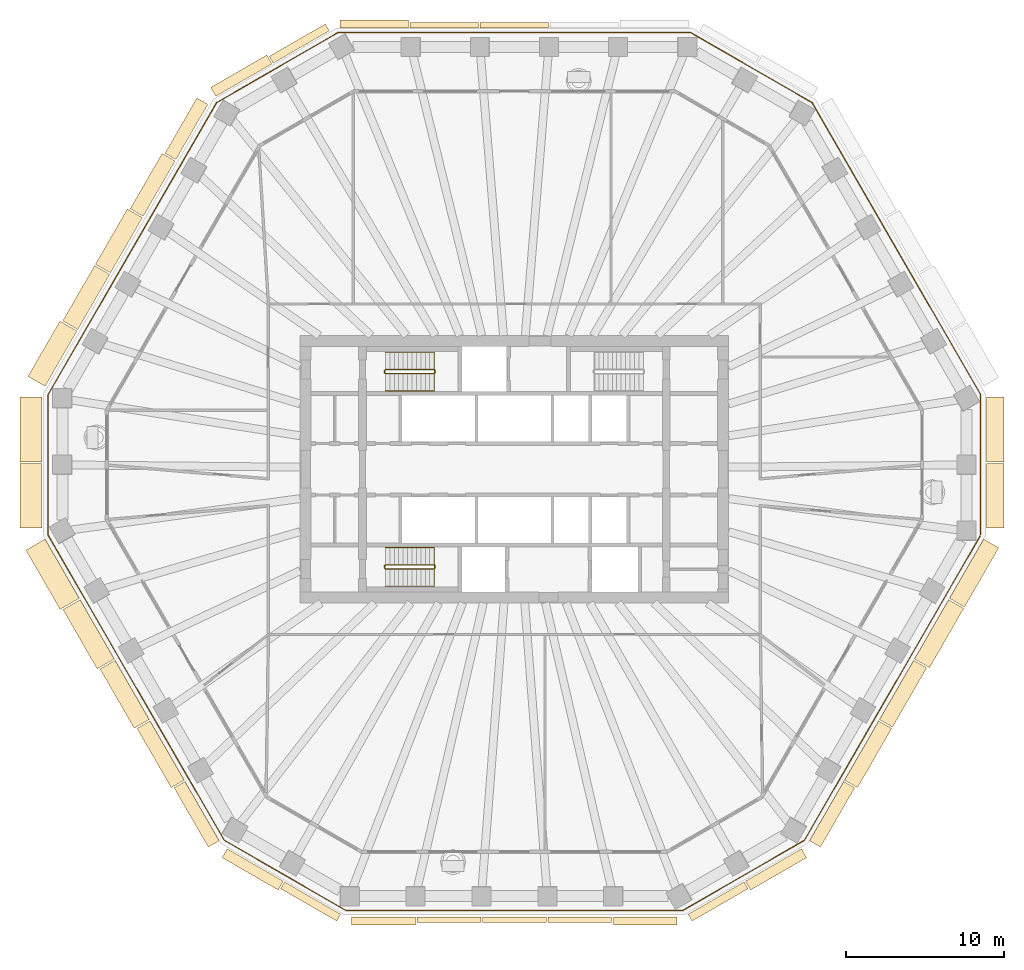
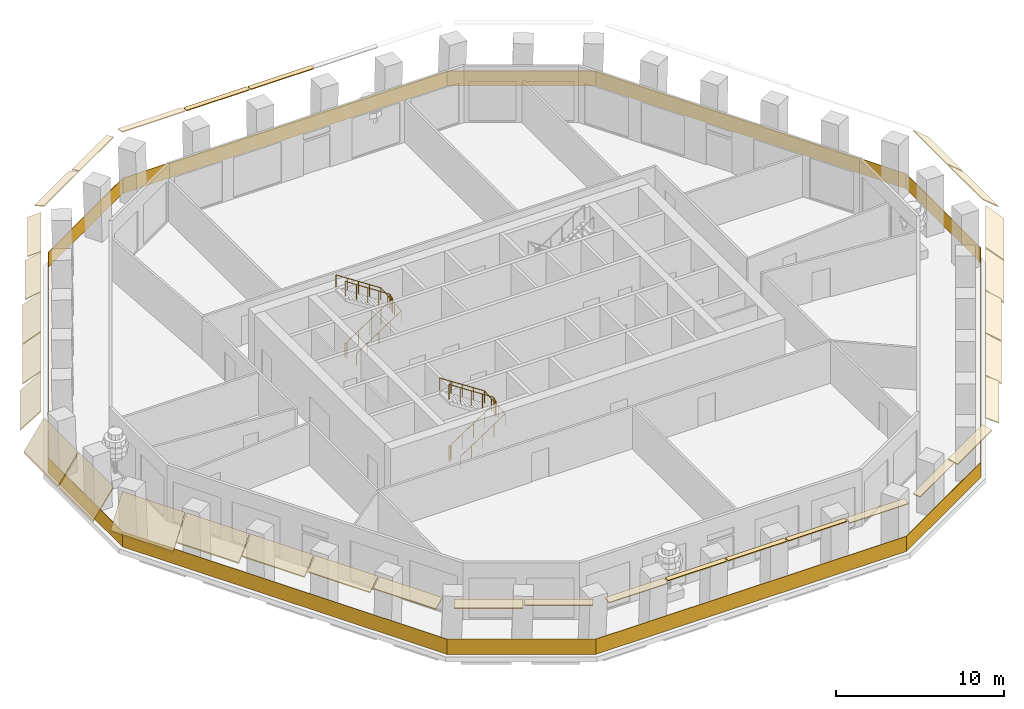
# One storey, part 9 of 12: 33 coverings, 5 railings.
"""IFC4 building model written with IfcOpenShell, lengths in metres."""

from ifc_helpers import new_model, si_unit, direction, frame, origin, origin_2d, place, context, subcontext, project, spatial, polyline, rectangle, circle, outline, extrude, material, layer, layer_set, type_object, element, save


model = new_model("IFC4")

# Units and contexts
model_context = context("Model", 3, precision=1e-05, world=origin(), true_north=direction((0.0, 1.0)))
body_context = subcontext(model_context, "Body", "Model", "MODEL_VIEW")
ifc_project = project(units=[si_unit("LENGTHUNIT", "METRE"), si_unit("AREAUNIT", "SQUARE_METRE"), si_unit("VOLUMEUNIT", "CUBIC_METRE"), si_unit("PLANEANGLEUNIT", "RADIAN"), si_unit("MASSUNIT", "GRAM", prefix="KILO")], contexts=[model_context])

# Site, building, storey
site_placement = place(None, origin())
site = spatial("IfcSite", under=ifc_project, at=site_placement, CompositionType="ELEMENT")
building_placement = place(site_placement, origin())
building = spatial("IfcBuilding", under=site, at=building_placement, Name="Frailejon Research Tower", CompositionType="ELEMENT")
storey_placement = place(building_placement, frame((0.0, 0.0, 154.0)))
storey = spatial("IfcBuildingStorey", under=building, at=storey_placement, Name="L33", CompositionType="ELEMENT", Elevation=154.0)

# Coverings
ifc_material_1 = material(Name="Precast concrete C50/60", Category="concrete")
ifc_layer_1 = layer(ifc_material_1, 0.06005859375)
ifc_layer_set_1 = layer_set([ifc_layer_1], Name="Brim blade depth 1100")
covering_type_1 = type_object("IfcCoveringType", Name="Brim blade depth 1100", PredefinedType="CLADDING", material=ifc_layer_set_1)
covering_1_placement = place(storey_placement, frame((29.852294921875, 0.36474609375, 4.25), z_axis=(0.0, -1.0, 0.0), x_axis=(1.0, 0.0, 0.0)))
element("IfcCovering", 1, at=covering_1_placement, inside=storey, type_object=covering_type_1, Name="Brim blade L33", PredefinedType="CLADDING", context=body_context, shape_type="SweptSolid", body=[
    extrude(outline(polyline([(0.0, -0.078369140625), (1.10009765625, -1.001220703125), (1.10009765625, -0.923095703125), (0.0, 0.0), (0.0, -0.078369140625)])), origin(), (0.0, 0.0, 1.0), 4.08740234375),
])
covering_2_placement = place(storey_placement, frame((29.852294921875, 4.552490234375, 4.25), z_axis=(0.0, -1.0, 0.0), x_axis=(1.0, 0.0, 0.0)))
element("IfcCovering", 2, at=covering_2_placement, inside=storey, type_object=covering_type_1, Name="Brim blade L33", PredefinedType="CLADDING", context=body_context, shape_type="SweptSolid", body=[
    extrude(outline(polyline([(0.0, -0.078369140625), (1.10009765625, -1.001220703125), (1.10009765625, -0.923095703125), (0.0, 0.0), (0.0, -0.078369140625)])), origin(), (0.0, 0.0, 1.0), 4.087646484375),
])
for number, where, z_axis, x_axis, name in (
    (3, (-25.530517578125, 12.40966796875, 4.25), (0.500005682111, 0.866022123192, 0.0), (-0.866022123192, 0.500005682111, 0.0), "Brim blade L33"),
    (4, (-27.598388671875, 8.82763671875, 4.25), (0.49998754911, 0.86603259219, 0.0), (-0.86603259219, 0.49998754911, 0.0), "Brim blade L33"),
):
    element("IfcCovering", number, at=place(storey_placement, frame(where, z_axis=z_axis, x_axis=x_axis)), inside=storey, type_object=covering_type_1, Name=name, PredefinedType="CLADDING", context=body_context, shape_type="SweptSolid", body=[
        extrude(outline(polyline([(0.0, -0.078369140625), (1.10009765625, -1.001220703125), (1.10009765625, -0.923095703125), (0.0, 0.0), (0.0, -0.078369140625)])), origin(), (0.0, 0.0, 1.0), 4.0361328125),
    ])
for number, where, z_axis, x_axis, name in (
    (5, (-23.081298828125, -15.822265625, 4.25), (-0.499995103022, 0.866028231038, 0.0), (-0.866028231038, -0.499995103022, 0.0), "Brim blade L33"),
    (6, (27.45458984375, -8.246826171875, 4.25), (-0.499987937108, -0.866032368187, 0.0), (0.866032368187, -0.499987937108, 0.0), "Brim blade L33"),
    (7, (29.66650390625, -4.416015625, 4.25), (-0.50000489216, -0.866022579276, 0.0), (0.866022579276, -0.50000489216, 0.0), "Brim blade L33"),
):
    element("IfcCovering", number, at=place(storey_placement, frame(where, z_axis=z_axis, x_axis=x_axis)), inside=storey, type_object=covering_type_1, Name=name, PredefinedType="CLADDING", context=body_context, shape_type="SweptSolid", body=[
        extrude(outline(polyline([(0.0, -0.078369140625), (1.10009765625, -1.001220703125), (1.10009765625, -0.923095703125), (0.0, 0.0), (0.0, -0.078369140625)])), origin(), (0.0, 0.0, 1.0), 4.323486328125),
    ])
ifc_material_2 = material(Name="Precast concrete C50/60", Category="concrete")
ifc_layer_2 = layer(ifc_material_2, 0.06005859375)
ifc_layer_set_2 = layer_set([ifc_layer_2], Name="Brim blade depth 1250")
covering_type_2 = type_object("IfcCoveringType", Name="Brim blade depth 1250", PredefinedType="CLADDING", material=ifc_layer_set_2)
covering_3_placement = place(storey_placement, frame((-29.66650390625, 5.24560546875, 4.25), z_axis=(0.500005682111, 0.866022123192, 0.0), x_axis=(-0.866022123192, 0.500005682111, 0.0)))
element("IfcCovering", 8, at=covering_3_placement, inside=storey, type_object=covering_type_2, Name="Brim blade L33", PredefinedType="CLADDING", context=body_context, shape_type="SweptSolid", body=[
    extrude(outline(polyline([(0.0, -0.0888671875), (1.25, -1.452880859375), (1.25, -1.364013671875), (0.0, 0.0), (0.0, -0.0888671875)])), origin(), (0.0, 0.0, 1.0), 4.0361328125),
])
covering_4_placement = place(storey_placement, frame((-25.29296875, -11.9912109375, 4.25), z_axis=(-0.499987937108, 0.866032368187, 0.0), x_axis=(-0.866032368187, -0.499987937108, 0.0)))
element("IfcCovering", 9, at=covering_4_placement, inside=storey, type_object=covering_type_2, Name="Brim blade L33", PredefinedType="CLADDING", context=body_context, shape_type="SweptSolid", body=[
    extrude(outline(polyline([(0.0, -0.0888671875), (1.25, -1.452880859375), (1.25, -1.364013671875), (0.0, 0.0), (0.0, -0.0888671875)])), origin(), (0.0, 0.0, 1.0), 4.323486328125),
])
ifc_material_3 = material(Name="Precast concrete C50/60", Category="concrete")
ifc_layer_3 = layer(ifc_material_3, 0.06005859375)
ifc_layer_set_3 = layer_set([ifc_layer_3], Name="Brim blade depth 1400")
covering_type_3 = type_object("IfcCoveringType", Name="Brim blade depth 1400", PredefinedType="CLADDING", material=ifc_layer_set_3)
covering_5_placement = place(storey_placement, frame((-29.852294921875, 0.46484375, 4.25), z_axis=(0.0, 1.0, 0.0), x_axis=(-1.0, 0.0, 0.0)))
element("IfcCovering", 10, at=covering_5_placement, inside=storey, type_object=covering_type_3, Name="Brim blade L33", PredefinedType="CLADDING", context=body_context, shape_type="SweptSolid", body=[
    extrude(outline(polyline([(0.0, -0.1044921875), (1.39990234375, -2.10400390625), (1.39990234375, -1.99951171875), (0.0, 0.0), (0.0, -0.1044921875)])), origin(), (0.0, 0.0, 1.0), 4.087646484375),
])
covering_6_placement = place(storey_placement, frame((-29.852294921875, -3.72265625, 4.25), z_axis=(0.0, 1.0, 0.0), x_axis=(-1.0, 0.0, 0.0)))
element("IfcCovering", 11, at=covering_6_placement, inside=storey, type_object=covering_type_3, Name="Brim blade L33", PredefinedType="CLADDING", context=body_context, shape_type="SweptSolid", body=[
    extrude(outline(polyline([(0.0, -0.1044921875), (1.39990234375, -2.10400390625), (1.39990234375, -1.99951171875), (0.0, 0.0), (0.0, -0.1044921875)])), origin(), (0.0, 0.0, 1.0), 4.08740234375),
])
covering_7_placement = place(storey_placement, frame((-27.504638671875, -8.160400390625, 4.25), z_axis=(-0.50000489216, 0.866022579276, 0.0), x_axis=(-0.866022579276, -0.50000489216, 0.0)))
element("IfcCovering", 12, at=covering_7_placement, inside=storey, type_object=covering_type_3, Name="Brim blade L33", PredefinedType="CLADDING", context=body_context, shape_type="SweptSolid", body=[
    extrude(outline(polyline([(0.0, -0.1044921875), (1.39990234375, -2.10400390625), (1.39990234375, -1.99951171875), (0.0, 0.0), (0.0, -0.1044921875)])), origin(), (0.0, 0.0, 1.0), 4.323486328125),
])
ifc_material_4 = material(Name="Precast concrete C50/60", Category="concrete")
ifc_layer_4 = layer(ifc_material_4, 0.06005859375)
ifc_layer_set_4 = layer_set([ifc_layer_4], Name="Brim blade depth 350")
covering_type_4 = type_object("IfcCoveringType", Name="Brim blade depth 350", PredefinedType="CLADDING", material=ifc_layer_set_4)
for number, where, z_axis, x_axis, name in (
    (13, (-2.161865234375, 27.89990234375, 4.25), (1.0, 0.0, 0.0), (0.0, 1.0, 0.0), "Brim blade L33"),
    (14, (-6.585205078125, 27.89990234375, 4.25), (1.0, 0.0, 0.0), (0.0, 1.0, 0.0), "Brim blade L33"),
):
    element("IfcCovering", number, at=place(storey_placement, frame(where, z_axis=z_axis, x_axis=x_axis)), inside=storey, type_object=covering_type_4, Name=name, PredefinedType="CLADDING", context=body_context, shape_type="SweptSolid", body=[
        extrude(outline(polyline([(0.0, -0.06005859375), (0.35009765625, -0.06005859375), (0.35009765625, 0.0), (0.0, 0.0), (0.0, -0.06005859375)])), origin(), (0.0, 0.0, 1.0), 4.323486328125),
    ])
for number, where, z_axis, x_axis, name in (
    (15, (-2.1181640625, -28.314697265625, 4.25), (-1.0, 0.0, 0.0), (0.0, -1.0, 0.0), "Brim blade L33"),
    (16, (2.01806640625, -28.314697265625, 4.25), (-1.0, 0.0, 0.0), (0.0, -1.0, 0.0), "Brim blade L33"),
    (17, (6.154296875, -28.314697265625, 4.25), (-1.0, 0.0, 0.0), (0.0, -1.0, 0.0), "Brim blade L33"),
):
    element("IfcCovering", number, at=place(storey_placement, frame(where, z_axis=z_axis, x_axis=x_axis)), inside=storey, type_object=covering_type_4, Name=name, PredefinedType="CLADDING", context=body_context, shape_type="SweptSolid", body=[
        extrude(outline(polyline([(0.0, -0.06005859375), (0.35009765625, -0.06005859375), (0.35009765625, 0.0), (0.0, 0.0), (0.0, -0.06005859375)])), origin(), (0.0, 0.0, 1.0), 4.0361328125),
    ])
ifc_material_5 = material(Name="Precast concrete C50/60", Category="concrete")
ifc_layer_5 = layer(ifc_material_5, 0.06005859375)
ifc_layer_set_5 = layer_set([ifc_layer_5], Name="Brim blade depth 500")
covering_type_5 = type_object("IfcCoveringType", Name="Brim blade depth 500", PredefinedType="CLADDING", material=ifc_layer_set_5)
covering_8_placement = place(storey_placement, frame((-11.0087890625, 27.89990234375, 4.25), z_axis=(1.0, 0.0, 0.0), x_axis=(0.0, 1.0, 0.0)))
element("IfcCovering", 18, at=covering_8_placement, inside=storey, type_object=covering_type_5, Name="Brim blade L33", PredefinedType="CLADDING", context=body_context, shape_type="SweptSolid", body=[
    extrude(outline(polyline([(0.0, -0.060546875), (0.5, -0.130859375), (0.5, -0.0703125), (0.0, 0.0), (0.0, -0.060546875)])), origin(), (0.0, 0.0, 1.0), 4.323486328125),
])
for number, where, z_axis, x_axis, name in (
    (19, (-15.2421875, 25.67041015625, 4.25), (0.866021344981, 0.500007029989, 0.0), (-0.500007029989, 0.866021344981, 0.0), "Brim blade L33"),
    (20, (-10.983642578125, -28.12890625, 4.25), (-0.866021344981, 0.500007029989, 0.0), (-0.500007029989, -0.866021344981, 0.0), "Brim blade L33"),
):
    element("IfcCovering", number, at=place(storey_placement, frame(where, z_axis=z_axis, x_axis=x_axis)), inside=storey, type_object=covering_type_5, Name=name, PredefinedType="CLADDING", context=body_context, shape_type="SweptSolid", body=[
        extrude(outline(polyline([(0.0, -0.060546875), (0.5, -0.130859375), (0.5, -0.0703125), (0.0, 0.0), (0.0, -0.060546875)])), origin(), (0.0, 0.0, 1.0), 4.08740234375),
    ])
for number, where, z_axis, x_axis, name in (
    (21, (-6.254150390625, -28.314697265625, 4.25), (-1.0, 0.0, 0.0), (0.0, -1.0, 0.0), "Brim blade L33"),
    (22, (10.290283203125, -28.314697265625, 4.25), (-1.0, 0.0, 0.0), (0.0, -1.0, 0.0), "Brim blade L33"),
):
    element("IfcCovering", number, at=place(storey_placement, frame(where, z_axis=z_axis, x_axis=x_axis)), inside=storey, type_object=covering_type_5, Name=name, PredefinedType="CLADDING", context=body_context, shape_type="SweptSolid", body=[
        extrude(outline(polyline([(0.0, -0.060546875), (0.5, -0.130859375), (0.5, -0.0703125), (0.0, 0.0), (0.0, -0.060546875)])), origin(), (0.0, 0.0, 1.0), 4.0361328125),
    ])
covering_9_placement = place(storey_placement, frame((14.523681640625, -26.085205078125, 4.25), z_axis=(-0.866021344981, -0.500007029989, 0.0), x_axis=(0.500007029989, -0.866021344981, 0.0)))
element("IfcCovering", 23, at=covering_9_placement, inside=storey, type_object=covering_type_5, Name="Brim blade L33", PredefinedType="CLADDING", context=body_context, shape_type="SweptSolid", body=[
    extrude(outline(polyline([(0.0, -0.060546875), (0.5, -0.130859375), (0.5, -0.0703125), (0.0, 0.0), (0.0, -0.060546875)])), origin(), (0.0, 0.0, 1.0), 4.08740234375),
])
ifc_material_6 = material(Name="Precast concrete C50/60", Category="concrete")
ifc_layer_6 = layer(ifc_material_6, 0.06005859375)
ifc_layer_set_6 = layer_set([ifc_layer_6], Name="Brim blade depth 650")
covering_type_6 = type_object("IfcCoveringType", Name="Brim blade depth 650", PredefinedType="CLADDING", material=ifc_layer_set_6)
for number, where, z_axis, x_axis, name in (
    (24, (-18.86865234375, 23.57666015625, 4.25), (0.866021344981, 0.500007029989, 0.0), (-0.500007029989, 0.866021344981, 0.0), "Brim blade L33"),
    (25, (-14.610107421875, -26.03515625, 4.25), (-0.866031685881, 0.499989118931, 0.0), (-0.499989118931, -0.866031685881, 0.0), "Brim blade L33"),
    (26, (18.150146484375, -23.991455078125, 4.25), (-0.866031685881, -0.499989118931, 0.0), (0.499989118931, -0.866031685881, 0.0), "Brim blade L33"),
):
    element("IfcCovering", number, at=place(storey_placement, frame(where, z_axis=z_axis, x_axis=x_axis)), inside=storey, type_object=covering_type_6, Name=name, PredefinedType="CLADDING", context=body_context, shape_type="SweptSolid", body=[
        extrude(outline(polyline([(0.0, -0.0625), (0.64990234375, -0.248779296875), (0.64990234375, -0.186279296875), (0.0, 0.0), (0.0, -0.0625)])), origin(), (0.0, 0.0, 1.0), 4.08740234375),
    ])
ifc_material_7 = material(Name="Precast concrete C50/60", Category="concrete")
ifc_layer_7 = layer(ifc_material_7, 0.06005859375)
ifc_layer_set_7 = layer_set([ifc_layer_7], Name="Brim blade depth 800")
covering_type_7 = type_object("IfcCoveringType", Name="Brim blade depth 800", PredefinedType="CLADDING", material=ifc_layer_set_7)
covering_10_placement = place(storey_placement, frame((-21.394287109375, 19.57373046875, 4.25), z_axis=(0.500005682111, 0.866022123192, 0.0), x_axis=(-0.866022123192, 0.500005682111, 0.0)))
element("IfcCovering", 27, at=covering_10_placement, inside=storey, type_object=covering_type_7, Name="Brim blade L33", PredefinedType="CLADDING", context=body_context, shape_type="SweptSolid", body=[
    extrude(outline(polyline([(0.0, -0.065673828125), (0.800048828125, -0.421875), (0.800048828125, -0.356201171875), (0.0, 0.0), (0.0, -0.065673828125)])), origin(), (0.0, 0.0, 1.0), 4.0361328125),
])
for number, where, z_axis, x_axis, name in (
    (28, (-18.65771484375, -23.48388671875, 4.25), (-0.50000489216, 0.866022579276, 0.0), (-0.866022579276, -0.50000489216, 0.0), "Brim blade L33"),
    (29, (20.8193359375, -19.73974609375, 4.25), (-0.50000489216, -0.866022579276, 0.0), (0.866022579276, -0.50000489216, 0.0), "Brim blade L33"),
):
    element("IfcCovering", number, at=place(storey_placement, frame(where, z_axis=z_axis, x_axis=x_axis)), inside=storey, type_object=covering_type_7, Name=name, PredefinedType="CLADDING", context=body_context, shape_type="SweptSolid", body=[
        extrude(outline(polyline([(0.0, -0.065673828125), (0.800048828125, -0.421875), (0.800048828125, -0.356201171875), (0.0, 0.0), (0.0, -0.065673828125)])), origin(), (0.0, 0.0, 1.0), 4.323486328125),
    ])
ifc_material_8 = material(Name="Precast concrete C50/60", Category="concrete")
ifc_layer_8 = layer(ifc_material_8, 0.06005859375)
ifc_layer_set_8 = layer_set([ifc_layer_8], Name="Brim blade depth 950")
covering_type_8 = type_object("IfcCoveringType", Name="Brim blade depth 950", PredefinedType="CLADDING", material=ifc_layer_set_8)
covering_11_placement = place(storey_placement, frame((-23.46240234375, 15.99169921875, 4.25), z_axis=(0.500005682111, 0.866022123192, 0.0), x_axis=(-0.866022123192, 0.500005682111, 0.0)))
element("IfcCovering", 30, at=covering_11_placement, inside=storey, type_object=covering_type_8, Name="Brim blade L33", PredefinedType="CLADDING", context=body_context, shape_type="SweptSolid", body=[
    extrude(outline(polyline([(0.0, -0.07080078125), (0.949951171875, -0.664306640625), (0.949951171875, -0.593505859375), (0.0, 0.0), (0.0, -0.07080078125)])), origin(), (0.0, 0.0, 1.0), 4.0361328125),
])
for number, where, z_axis, x_axis, name in (
    (31, (-20.869384765625, -19.653076171875, 4.25), (-0.50000489216, 0.866022579276, 0.0), (-0.866022579276, -0.50000489216, 0.0), "Brim blade L33"),
    (32, (23.03125, -15.90869140625, 4.25), (-0.50000489216, -0.866022579276, 0.0), (0.866022579276, -0.50000489216, 0.0), "Brim blade L33"),
    (33, (25.242919921875, -12.077880859375, 4.25), (-0.499995103022, -0.866028231038, 0.0), (0.866028231038, -0.499995103022, 0.0), "Brim blade L33"),
):
    element("IfcCovering", number, at=place(storey_placement, frame(where, z_axis=z_axis, x_axis=x_axis)), inside=storey, type_object=covering_type_8, Name=name, PredefinedType="CLADDING", context=body_context, shape_type="SweptSolid", body=[
        extrude(outline(polyline([(0.0, -0.07080078125), (0.949951171875, -0.664306640625), (0.949951171875, -0.593505859375), (0.0, 0.0), (0.0, -0.07080078125)])), origin(), (0.0, 0.0, 1.0), 4.323486328125),
    ])

# Railings
ifc_material_9 = material(Name="Laminated glass balustrade", Category="glass")
railing_type_1 = type_object("IfcRailingType", Name="Glass guard 1100", PredefinedType="GUARDRAIL", material=ifc_material_9)
railing_1_placement = place(storey_placement, frame((29.481201171875, -4.154541015625, 0.0)))
element("IfcRailing", 34, at=railing_1_placement, inside=storey, type_object=railing_type_1, Name="Loggia guard L33", PredefinedType="GUARDRAIL", context=body_context, shape_type="SweptSolid", body=[
    extrude(rectangle(XDim=8.862060546875, YDim=0.030029296875, at=origin_2d()), frame((0.0, 4.43115234375, 0.0), z_axis=(0.0, 0.0, 1.0), x_axis=(0.0, 1.0, 0.0)), (0.0, 0.0, 1.0), 1.10009765625),
    extrude(rectangle(XDim=21.327392578125, YDim=0.030029296875, at=origin_2d()), frame((-5.33203125, 18.09716796875, 0.0), z_axis=(0.0, 0.0, 1.0), x_axis=(-0.500006182254, 0.866021834429, 0.0)), (0.0, 0.0, 1.0), 1.10009765625),
    extrude(rectangle(XDim=8.862060546875, YDim=0.030029296875, at=origin_2d()), frame((-14.501220703125, 29.547607421875, 0.0), z_axis=(0.0, 0.0, 1.0), x_axis=(-0.86602043012, 0.50000861454, 0.0)), (0.0, 0.0, 1.0), 1.10009765625),
    extrude(rectangle(XDim=22.28515625, YDim=0.030029296875, at=origin_2d()), frame((-29.481201171875, 31.76318359375, 0.0), z_axis=(0.0, 0.0, 1.0), x_axis=(-1.0, 0.0, 0.0)), (0.0, 0.0, 1.0), 1.10009765625),
    extrude(rectangle(XDim=8.862060546875, YDim=0.030029296875, at=origin_2d()), frame((-44.461181640625, 29.547607421875, 0.0), z_axis=(0.0, 0.0, 1.0), x_axis=(-0.86602043012, -0.50000861454, 0.0)), (0.0, 0.0, 1.0), 1.10009765625),
    extrude(rectangle(XDim=21.327392578125, YDim=0.030029296875, at=origin_2d()), frame((-53.63037109375, 18.09716796875, 0.0), z_axis=(0.0, 0.0, 1.0), x_axis=(-0.500006182254, -0.866021834429, 0.0)), (0.0, 0.0, 1.0), 1.10009765625),
    extrude(rectangle(XDim=8.862060546875, YDim=0.030029296875, at=origin_2d()), frame((-58.96240234375, 4.43115234375, 0.0), z_axis=(0.0, 0.0, 1.0), x_axis=(0.0, -1.0, 0.0)), (0.0, 0.0, 1.0), 1.10009765625),
    extrude(rectangle(XDim=22.285400390625, YDim=0.030029296875, at=origin_2d()), frame((-53.39111328125, -9.64990234375, 0.0), z_axis=(0.0, 0.0, 1.0), x_axis=(0.500007262228, -0.866021210894, 0.0)), (0.0, 0.0, 1.0), 1.10009765625),
    extrude(rectangle(XDim=8.862060546875, YDim=0.030029296875, at=origin_2d()), frame((-43.982421875, -21.51513671875, 0.0), z_axis=(0.0, 0.0, 1.0), x_axis=(0.866013542465, -0.500020543844, 0.0)), (0.0, 0.0, 1.0), 1.10009765625),
    extrude(rectangle(XDim=21.32763671875, YDim=0.030029296875, at=origin_2d()), frame((-29.481201171875, -23.730712890625, 0.0), z_axis=(0.0, 0.0, 1.0), x_axis=(1.0, 0.0, 0.0)), (0.0, 0.0, 1.0), 1.10009765625),
    extrude(rectangle(XDim=8.862060546875, YDim=0.030029296875, at=origin_2d()), frame((-14.97998046875, -21.51513671875, 0.0), z_axis=(0.0, 0.0, 1.0), x_axis=(0.866013542465, 0.500020543844, 0.0)), (0.0, 0.0, 1.0), 1.10009765625),
    extrude(rectangle(XDim=22.21533203125, YDim=0.030029296875, at=origin_2d()), frame((-5.5888671875, -9.68017578125, 0.0), z_axis=(0.0, 0.0, 1.0), x_axis=(0.500000550067, 0.866025086203, 0.0)), (0.0, 0.0, 1.0), 1.10009765625),
])
ifc_material_10 = material(Name="Stainless steel", Category="steel")
railing_type_2 = type_object("IfcRailingType", Name="Stair guard 1100", PredefinedType="GUARDRAIL", material=ifc_material_10)
railing_2_placement = place(storey_placement, frame((-8.199951171875, 6.25, 0.0)))
element("IfcRailing", 35, at=railing_2_placement, inside=storey, type_object=railing_type_2, Name="L33 ST1 stair guard 1", PredefinedType="GUARDRAIL", context=body_context, shape_type="SweptSolid", body=[
    extrude(circle(Radius=0.02392578125, at=origin_2d()), frame((0.0, 0.0, 1.076171875), z_axis=(0.0, -1.0, 0.0), x_axis=(1.0, 0.0, 0.0)), (0.0, 0.0, 1.0), 0.14990234375),
    extrude(circle(Radius=0.02392578125, at=origin_2d()), frame((0.0, -0.14990234375, 1.076171875), z_axis=(0.254653276557, -0.254653276557, 0.932900539971), x_axis=(0.707106781187, 0.707106781187, 0.0)), (0.0, 0.0, 1.0), 0.196533203125),
    extrude(circle(Radius=0.02392578125, at=origin_2d()), frame((0.050048828125, -0.199951171875, 1.25927734375), z_axis=(0.836613101238, 0.0, 0.547794230379), x_axis=(0.0, 1.0, 0.0)), (0.0, 0.0, 1.0), 3.681396484375),
    extrude(circle(Radius=0.02392578125, at=origin_2d()), frame((3.1298828125, -0.199951171875, 3.27587890625), z_axis=(0.707106781187, 0.707106781187, 0.0), x_axis=(-0.707106781187, 0.707106781187, 0.0)), (0.0, 0.0, 1.0), 0.07080078125),
    extrude(circle(Radius=0.02392578125, at=origin_2d()), frame((3.179931640625, -0.14990234375, 3.27587890625), z_axis=(0.0, 1.0, 0.0), x_axis=(-1.0, 0.0, 0.0)), (0.0, 0.0, 1.0), 0.14990234375),
    extrude(circle(Radius=0.02392578125, at=origin_2d()), frame((3.179931640625, 0.0, 3.27587890625), z_axis=(-0.254653276557, 0.254653276557, 0.932900539971), x_axis=(-0.707106781187, -0.707106781187, 0.0)), (0.0, 0.0, 1.0), 0.196533203125),
    extrude(circle(Radius=0.02392578125, at=origin_2d()), frame((3.1298828125, 0.050048828125, 3.45947265625), z_axis=(-0.836613101238, 0.0, 0.547794230379), x_axis=(0.0, -1.0, 0.0)), (0.0, 0.0, 1.0), 3.681396484375),
    extrude(circle(Radius=0.02099609375, at=origin_2d()), origin(), (0.0, 0.0, 1.0), 1.052001953125),
    extrude(circle(Radius=0.02099609375, at=origin_2d()), frame((0.0, -0.14990234375, 0.0)), (0.0, 0.0, 1.0), 1.052001953125),
    extrude(circle(Radius=0.02099609375, at=origin_2d()), frame((0.050048828125, -0.199951171875, 0.183349609375)), (0.0, 0.0, 1.0), 1.052001953125),
    extrude(circle(Radius=0.02099609375, at=origin_2d()), frame((0.820068359375, -0.199951171875, 0.6875)), (0.0, 0.0, 1.0), 1.052001953125),
    extrude(circle(Radius=0.02099609375, at=origin_2d()), frame((1.58984375, -0.199951171875, 1.191650390625)), (0.0, 0.0, 1.0), 1.052001953125),
    extrude(circle(Radius=0.02099609375, at=origin_2d()), frame((2.35986328125, -0.199951171875, 1.69580078125)), (0.0, 0.0, 1.0), 1.052001953125),
    extrude(circle(Radius=0.02099609375, at=origin_2d()), frame((3.1298828125, -0.199951171875, 2.199951171875)), (0.0, 0.0, 1.0), 1.052001953125),
    extrude(circle(Radius=0.02099609375, at=origin_2d()), frame((3.179931640625, -0.14990234375, 2.199951171875)), (0.0, 0.0, 1.0), 1.052001953125),
    extrude(circle(Radius=0.02099609375, at=origin_2d()), frame((3.179931640625, 0.0, 2.199951171875)), (0.0, 0.0, 1.0), 1.052001953125),
    extrude(circle(Radius=0.02099609375, at=origin_2d()), frame((3.1298828125, 0.050048828125, 2.38330078125)), (0.0, 0.0, 1.0), 1.052001953125),
    extrude(circle(Radius=0.02099609375, at=origin_2d()), frame((2.35986328125, 0.050048828125, 2.887451171875)), (0.0, 0.0, 1.0), 1.052001953125),
    extrude(circle(Radius=0.02099609375, at=origin_2d()), frame((1.58984375, 0.050048828125, 3.3916015625)), (0.0, 0.0, 1.0), 1.052001953125),
    extrude(circle(Radius=0.02099609375, at=origin_2d()), frame((0.820068359375, 0.050048828125, 3.895751953125)), (0.0, 0.0, 1.0), 1.052001953125),
    extrude(circle(Radius=0.02099609375, at=origin_2d()), frame((0.050048828125, 0.050048828125, 4.39990234375)), (0.0, 0.0, 1.0), 1.052001953125),
])
railing_3_placement = place(storey_placement, frame((-8.199951171875, -6.10009765625, 0.0)))
element("IfcRailing", 36, at=railing_3_placement, inside=storey, type_object=railing_type_2, Name="L33 ST2 stair guard 1", PredefinedType="GUARDRAIL", context=body_context, shape_type="SweptSolid", body=[
    extrude(circle(Radius=0.02392578125, at=origin_2d()), frame((0.0, 0.0, 1.076171875), z_axis=(0.0, -1.0, 0.0), x_axis=(1.0, 0.0, 0.0)), (0.0, 0.0, 1.0), 0.14990234375),
    extrude(circle(Radius=0.02392578125, at=origin_2d()), frame((0.0, -0.14990234375, 1.076171875), z_axis=(0.254653276557, -0.254653276557, 0.932900539971), x_axis=(0.707106781187, 0.707106781187, 0.0)), (0.0, 0.0, 1.0), 0.196533203125),
    extrude(circle(Radius=0.02392578125, at=origin_2d()), frame((0.050048828125, -0.199951171875, 1.25927734375), z_axis=(0.836613101238, 0.0, 0.547794230379), x_axis=(0.0, 1.0, 0.0)), (0.0, 0.0, 1.0), 3.681396484375),
    extrude(circle(Radius=0.02392578125, at=origin_2d()), frame((3.1298828125, -0.199951171875, 3.27587890625), z_axis=(0.707106781187, 0.707106781187, 0.0), x_axis=(-0.707106781187, 0.707106781187, 0.0)), (0.0, 0.0, 1.0), 0.07080078125),
    extrude(circle(Radius=0.02392578125, at=origin_2d()), frame((3.179931640625, -0.14990234375, 3.27587890625), z_axis=(0.0, 1.0, 0.0), x_axis=(-1.0, 0.0, 0.0)), (0.0, 0.0, 1.0), 0.14990234375),
    extrude(circle(Radius=0.02392578125, at=origin_2d()), frame((3.179931640625, 0.0, 3.27587890625), z_axis=(-0.254653276557, 0.254653276557, 0.932900539971), x_axis=(-0.707106781187, -0.707106781187, 0.0)), (0.0, 0.0, 1.0), 0.196533203125),
    extrude(circle(Radius=0.02392578125, at=origin_2d()), frame((3.1298828125, 0.050048828125, 3.45947265625), z_axis=(-0.836613101238, 0.0, 0.547794230379), x_axis=(0.0, -1.0, 0.0)), (0.0, 0.0, 1.0), 3.681396484375),
    extrude(circle(Radius=0.02099609375, at=origin_2d()), origin(), (0.0, 0.0, 1.0), 1.052001953125),
    extrude(circle(Radius=0.02099609375, at=origin_2d()), frame((0.0, -0.14990234375, 0.0)), (0.0, 0.0, 1.0), 1.052001953125),
    extrude(circle(Radius=0.02099609375, at=origin_2d()), frame((0.050048828125, -0.199951171875, 0.183349609375)), (0.0, 0.0, 1.0), 1.052001953125),
    extrude(circle(Radius=0.02099609375, at=origin_2d()), frame((0.820068359375, -0.199951171875, 0.6875)), (0.0, 0.0, 1.0), 1.052001953125),
    extrude(circle(Radius=0.02099609375, at=origin_2d()), frame((1.58984375, -0.199951171875, 1.191650390625)), (0.0, 0.0, 1.0), 1.052001953125),
    extrude(circle(Radius=0.02099609375, at=origin_2d()), frame((2.35986328125, -0.199951171875, 1.69580078125)), (0.0, 0.0, 1.0), 1.052001953125),
    extrude(circle(Radius=0.02099609375, at=origin_2d()), frame((3.1298828125, -0.199951171875, 2.199951171875)), (0.0, 0.0, 1.0), 1.052001953125),
    extrude(circle(Radius=0.02099609375, at=origin_2d()), frame((3.179931640625, -0.14990234375, 2.199951171875)), (0.0, 0.0, 1.0), 1.052001953125),
    extrude(circle(Radius=0.02099609375, at=origin_2d()), frame((3.179931640625, 0.0, 2.199951171875)), (0.0, 0.0, 1.0), 1.052001953125),
    extrude(circle(Radius=0.02099609375, at=origin_2d()), frame((3.1298828125, 0.050048828125, 2.38330078125)), (0.0, 0.0, 1.0), 1.052001953125),
    extrude(circle(Radius=0.02099609375, at=origin_2d()), frame((2.35986328125, 0.050048828125, 2.887451171875)), (0.0, 0.0, 1.0), 1.052001953125),
    extrude(circle(Radius=0.02099609375, at=origin_2d()), frame((1.58984375, 0.050048828125, 3.3916015625)), (0.0, 0.0, 1.0), 1.052001953125),
    extrude(circle(Radius=0.02099609375, at=origin_2d()), frame((0.820068359375, 0.050048828125, 3.895751953125)), (0.0, 0.0, 1.0), 1.052001953125),
    extrude(circle(Radius=0.02099609375, at=origin_2d()), frame((0.050048828125, 0.050048828125, 4.39990234375)), (0.0, 0.0, 1.0), 1.052001953125),
])
ifc_material_11 = material(Name="Stainless steel", Category="steel")
railing_type_3 = type_object("IfcRailingType", Name="Stair handrail 900", PredefinedType="HANDRAIL", material=ifc_material_11)
railing_4_placement = place(storey_placement, frame((-8.14990234375, 4.949951171875, 0.183349609375)))
element("IfcRailing", 37, at=railing_4_placement, inside=storey, type_object=railing_type_3, Name="L33 ST1 stair handrail 1", PredefinedType="HANDRAIL", context=body_context, shape_type="SweptSolid", body=[
    extrude(circle(Radius=0.02392578125, at=origin_2d()), frame((0.0, 0.0, 0.8759765625), z_axis=(0.836613101238, 0.0, 0.547794230379), x_axis=(0.0, 1.0, 0.0)), (0.0, 0.0, 1.0), 3.681396484375),
    extrude(circle(Radius=0.02392578125, at=origin_2d()), frame((3.079833984375, 0.0, 2.892578125), z_axis=(0.0, 0.99721134034, 0.074629368868), x_axis=(-1.0, 0.0, 0.0)), (0.0, 0.0, 1.0), 2.456787109375),
    extrude(circle(Radius=0.02392578125, at=origin_2d()), frame((3.079833984375, 2.449951171875, 3.07568359375), z_axis=(-0.836613101238, 0.0, 0.547794230379), x_axis=(0.0, -1.0, 0.0)), (0.0, 0.0, 1.0), 3.681396484375),
    extrude(circle(Radius=0.02099609375, at=origin_2d()), origin(), (0.0, 0.0, 1.0), 0.851806640625),
    extrude(circle(Radius=0.02099609375, at=origin_2d()), frame((0.77001953125, 0.0, 0.504150390625)), (0.0, 0.0, 1.0), 0.851806640625),
    extrude(circle(Radius=0.02099609375, at=origin_2d()), frame((1.5400390625, 0.0, 1.00830078125)), (0.0, 0.0, 1.0), 0.851806640625),
    extrude(circle(Radius=0.02099609375, at=origin_2d()), frame((2.309814453125, 0.0, 1.512451171875)), (0.0, 0.0, 1.0), 0.851806640625),
    extrude(circle(Radius=0.02099609375, at=origin_2d()), frame((3.079833984375, 0.0, 2.0166015625)), (0.0, 0.0, 1.0), 0.851806640625),
    extrude(circle(Radius=0.02099609375, at=origin_2d()), frame((3.079833984375, 0.816650390625, 2.07763671875)), (0.0, 0.0, 1.0), 0.851806640625),
    extrude(circle(Radius=0.02099609375, at=origin_2d()), frame((3.079833984375, 1.63330078125, 2.138916015625)), (0.0, 0.0, 1.0), 0.851806640625),
    extrude(circle(Radius=0.02099609375, at=origin_2d()), frame((3.079833984375, 2.449951171875, 2.199951171875)), (0.0, 0.0, 1.0), 0.851806640625),
    extrude(circle(Radius=0.02099609375, at=origin_2d()), frame((2.309814453125, 2.449951171875, 2.7041015625)), (0.0, 0.0, 1.0), 0.851806640625),
    extrude(circle(Radius=0.02099609375, at=origin_2d()), frame((1.5400390625, 2.449951171875, 3.208251953125)), (0.0, 0.0, 1.0), 0.851806640625),
    extrude(circle(Radius=0.02099609375, at=origin_2d()), frame((0.77001953125, 2.449951171875, 3.71240234375)), (0.0, 0.0, 1.0), 0.851806640625),
    extrude(circle(Radius=0.02099609375, at=origin_2d()), frame((0.0, 2.449951171875, 4.216552734375)), (0.0, 0.0, 1.0), 0.851806640625),
])
railing_5_placement = place(storey_placement, frame((-8.14990234375, -7.39990234375, 0.183349609375)))
element("IfcRailing", 38, at=railing_5_placement, inside=storey, type_object=railing_type_3, Name="L33 ST2 stair handrail 1", PredefinedType="HANDRAIL", context=body_context, shape_type="SweptSolid", body=[
    extrude(circle(Radius=0.02392578125, at=origin_2d()), frame((0.0, 0.0, 0.8759765625), z_axis=(0.836613101238, 0.0, 0.547794230379), x_axis=(0.0, 1.0, 0.0)), (0.0, 0.0, 1.0), 3.681396484375),
    extrude(circle(Radius=0.02392578125, at=origin_2d()), frame((3.079833984375, 0.0, 2.892578125), z_axis=(0.0, 0.99721134034, 0.074629368868), x_axis=(-1.0, 0.0, 0.0)), (0.0, 0.0, 1.0), 2.456787109375),
    extrude(circle(Radius=0.02392578125, at=origin_2d()), frame((3.079833984375, 2.449951171875, 3.07568359375), z_axis=(-0.836613101238, 0.0, 0.547794230379), x_axis=(0.0, -1.0, 0.0)), (0.0, 0.0, 1.0), 3.681396484375),
    extrude(circle(Radius=0.02099609375, at=origin_2d()), origin(), (0.0, 0.0, 1.0), 0.851806640625),
    extrude(circle(Radius=0.02099609375, at=origin_2d()), frame((0.77001953125, 0.0, 0.504150390625)), (0.0, 0.0, 1.0), 0.851806640625),
    extrude(circle(Radius=0.02099609375, at=origin_2d()), frame((1.5400390625, 0.0, 1.00830078125)), (0.0, 0.0, 1.0), 0.851806640625),
    extrude(circle(Radius=0.02099609375, at=origin_2d()), frame((2.309814453125, 0.0, 1.512451171875)), (0.0, 0.0, 1.0), 0.851806640625),
    extrude(circle(Radius=0.02099609375, at=origin_2d()), frame((3.079833984375, 0.0, 2.0166015625)), (0.0, 0.0, 1.0), 0.851806640625),
    extrude(circle(Radius=0.02099609375, at=origin_2d()), frame((3.079833984375, 0.816650390625, 2.07763671875)), (0.0, 0.0, 1.0), 0.851806640625),
    extrude(circle(Radius=0.02099609375, at=origin_2d()), frame((3.079833984375, 1.63330078125, 2.138916015625)), (0.0, 0.0, 1.0), 0.851806640625),
    extrude(circle(Radius=0.02099609375, at=origin_2d()), frame((3.079833984375, 2.449951171875, 2.199951171875)), (0.0, 0.0, 1.0), 0.851806640625),
    extrude(circle(Radius=0.02099609375, at=origin_2d()), frame((2.309814453125, 2.449951171875, 2.7041015625)), (0.0, 0.0, 1.0), 0.851806640625),
    extrude(circle(Radius=0.02099609375, at=origin_2d()), frame((1.5400390625, 2.449951171875, 3.208251953125)), (0.0, 0.0, 1.0), 0.851806640625),
    extrude(circle(Radius=0.02099609375, at=origin_2d()), frame((0.77001953125, 2.449951171875, 3.71240234375)), (0.0, 0.0, 1.0), 0.851806640625),
    extrude(circle(Radius=0.02099609375, at=origin_2d()), frame((0.0, 2.449951171875, 4.216552734375)), (0.0, 0.0, 1.0), 0.851806640625),
])

save(model, "model.ifc")
